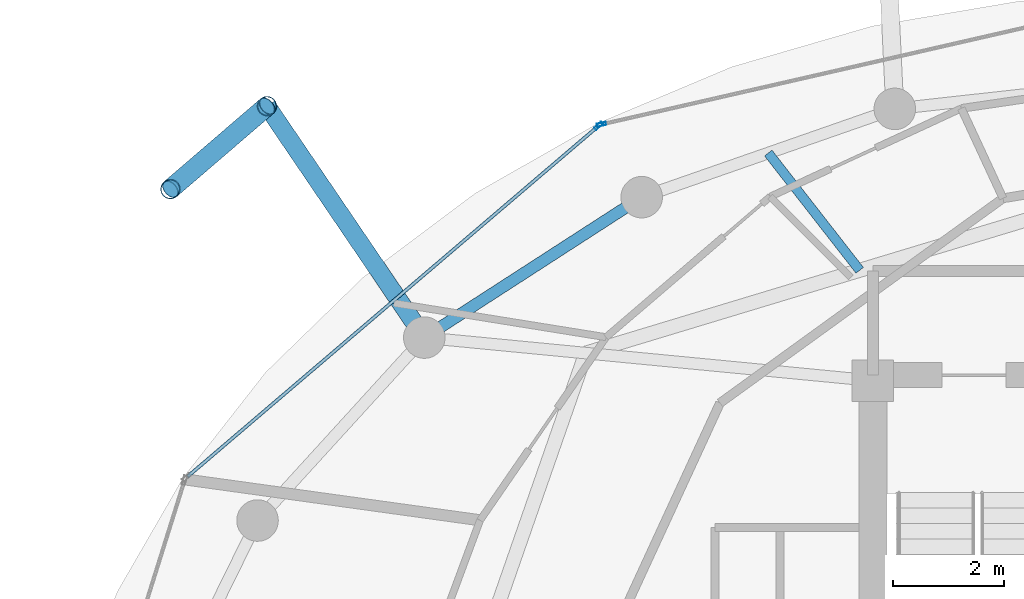
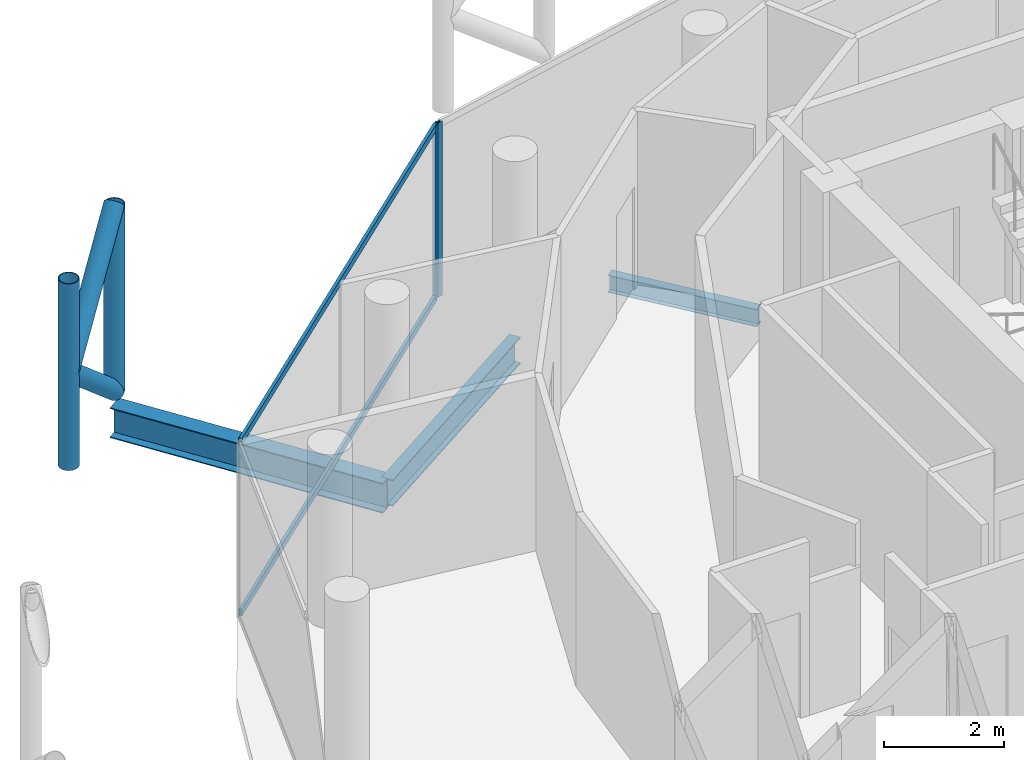
# One storey, part 15 of 24: 8 members, 3 beams, 2 elements without a shape of their own.
"""IFC4 building model written with IfcOpenShell, lengths in metres."""

from ifc_helpers import new_model, si_unit, direction, frame, origin, origin_2d, place, context, subcontext, project, spatial, hollow_rectangle, hollow_circle, i_section, extrude, material, layer, layer_set, material_profile, profile_set, type_object, element, aggregate, save


model = new_model("IFC4")

# Units and contexts
model_context = context("Model", 3, precision=1e-05, world=origin(), true_north=direction((0.0, 1.0)))
body_context = subcontext(model_context, "Body", "Model", "MODEL_VIEW")
ifc_project = project(units=[si_unit("LENGTHUNIT", "METRE"), si_unit("AREAUNIT", "SQUARE_METRE"), si_unit("VOLUMEUNIT", "CUBIC_METRE"), si_unit("PLANEANGLEUNIT", "RADIAN"), si_unit("MASSUNIT", "GRAM", prefix="KILO")], contexts=[model_context])

# Site, building, storey
site_placement = place(None, origin())
site = spatial("IfcSite", under=ifc_project, at=site_placement, CompositionType="ELEMENT")
building_placement = place(site_placement, origin())
building = spatial("IfcBuilding", under=site, at=building_placement, Name="Nuhasar Tower", CompositionType="ELEMENT")
storey_placement = place(building_placement, frame((0.0, 0.0, 274.60009765625)))
storey = spatial("IfcBuildingStorey", under=building, at=storey_placement, Name="L68", CompositionType="ELEMENT", Elevation=274.60009765625)

# Beams
ifc_material_1 = material(Name="Steel S355", Category="steel")
ifc_material_profile_1 = material_profile(ifc_material_1, i_section(OverallWidth=0.1708984375, OverallDepth=0.35205078125, WebThickness=0.0068359375, FlangeThickness=0.009765625, at=origin_2d()), Name="W14X30")
ifc_profile_set_1 = profile_set([ifc_material_profile_1], Name="Steel S355")
beam_type_1 = type_object("IfcBeamType", Name="BM-JST-W14X30", PredefinedType="JOIST", material=ifc_profile_set_1)
beam_1_placement = place(storey_placement, frame((33.4609375, 39.29296875, -0.43603515625), z_axis=(-0.614953767351, 0.788563164256, 0.0), x_axis=(-0.788563164256, -0.614953767351, 0.0)))
element("IfcBeam", 1, at=beam_1_placement, inside=storey, type_object=beam_type_1, Name="L68 Secondary Floor Joist 06", PredefinedType="JOIST", context=body_context, shape_type="SweptSolid", body=[
    extrude(i_section(OverallWidth=0.1708984375, OverallDepth=0.35205078125, WebThickness=0.0068359375, FlangeThickness=0.009765625, at=origin_2d()), origin(), (0.0, 0.0, 1.0), 2.6845703125),
])
ifc_material_profile_2 = material_profile(ifc_material_1, i_section(OverallWidth=0.2099609375, OverallDepth=0.537109375, WebThickness=0.010986328125, FlangeThickness=0.017333984375, at=origin_2d()), Name="W21X68")
ifc_profile_set_2 = profile_set([ifc_material_profile_2], Name="Steel S355")
beam_type_2 = type_object("IfcBeamType", Name="BM-RING-W21X68", PredefinedType="SPANDREL", material=ifc_profile_set_2)
beam_2_placement = place(storey_placement, frame((29.52490234375, 40.613037109375, -0.529052734375), z_axis=(-0.840001671147, -0.54258381147, 0.0), x_axis=(0.54258381147, -0.840001671147, 0.0)))
element("IfcBeam", 2, at=beam_2_placement, inside=storey, type_object=beam_type_2, Name="L68 Perimeter Ring Spandrel 09", PredefinedType="SPANDREL", context=body_context, shape_type="SweptSolid", body=[
    extrude(i_section(OverallWidth=0.2099609375, OverallDepth=0.537109375, WebThickness=0.010986328125, FlangeThickness=0.017333984375, at=origin_2d()), origin(), (0.0, 0.0, 1.0), 4.67236328125),
])
ifc_material_profile_3 = material_profile(ifc_material_1, i_section(OverallWidth=0.323974609375, OverallDepth=0.611083984375, WebThickness=0.0126953125, FlangeThickness=0.01904296875, at=origin_2d()), Name="W24X104")
ifc_profile_set_3 = profile_set([ifc_material_profile_3], Name="Steel S355")
beam_type_3 = type_object("IfcBeamType", Name="BM-TIE-W24X104", PredefinedType="BEAM", material=ifc_profile_set_3)
beam_3_placement = place(storey_placement, frame((25.60009765625, 38.077880859375, -0.566162109375), z_axis=(-0.562070792096, 0.827089127405, 0.0), x_axis=(-0.827089127405, -0.562070792096, 0.0)))
element("IfcBeam", 3, at=beam_3_placement, inside=storey, type_object=beam_type_3, Name="L68 Exoskeleton Node Tie Beam 05", PredefinedType="BEAM", context=body_context, shape_type="SweptSolid", body=[
    extrude(i_section(OverallWidth=0.323974609375, OverallDepth=0.611083984375, WebThickness=0.0126953125, FlangeThickness=0.01904296875, at=origin_2d()), origin(), (0.0, 0.0, 1.0), 5.052978515625),
])

# Curtain wall, member
ifc_material_2 = material(Name="Aluminium 6063-T6", Category="aluminium")
ifc_layer = layer(ifc_material_2, 0.18994140625)
ifc_layer_set = layer_set([ifc_layer], Name="Aluminium 6063-T6")
curtain_wall_type = type_object("IfcCurtainWallType", Name="CW-Z4-PEN", PredefinedType="NOTDEFINED", material=ifc_layer_set)
curtain_wall_1_placement = place(storey_placement, origin())
curtain_wall_1 = element("IfcCurtainWall", 4, at=curtain_wall_1_placement, inside=storey, type_object=curtain_wall_type, Name="L68 Unitised Curtain Wall 04", PredefinedType="NOTDEFINED")
ifc_material_profile_4 = material_profile(ifc_material_2, hollow_rectangle(XDim=0.06005859375, YDim=0.1650390625, WallThickness=0.0048828125, at=origin_2d()), Name="CWM-5")
ifc_profile_set_4 = profile_set([ifc_material_profile_4], Name="Aluminium 6063-T6")
member_type_1 = type_object("IfcMemberType", Name="CW-MUL-S5", PredefinedType="MULLION", material=ifc_profile_set_4)
member_1_placement = place(storey_placement, frame((28.79931640625, 41.927734375, 0.0), z_axis=(0.0, 0.0, 1.0), x_axis=(0.222889487645, -0.97484371891, 0.0)))
member_1 = element("IfcMember", 5, at=member_1_placement, type_object=member_type_1, Name="CW-Z4 mullion 2", PredefinedType="MULLION", context=body_context, shape_type="SweptSolid", body=[
    extrude(hollow_rectangle(XDim=0.06005859375, YDim=0.1650390625, WallThickness=0.0048828125, at=origin_2d()), origin(), (0.0, 0.0, 1.0), 3.539794921875),
])
aggregate(curtain_wall_1, [member_1])

# Curtain wall, members
curtain_wall_2_placement = place(storey_placement, origin())
curtain_wall_2 = element("IfcCurtainWall", 6, at=curtain_wall_2_placement, inside=storey, type_object=curtain_wall_type, Name="L68 Unitised Curtain Wall 05", PredefinedType="NOTDEFINED")
member_2_placement = place(storey_placement, frame((28.7470703125, 41.901611328125, 0.0), z_axis=(0.0, 0.0, 1.0), x_axis=(0.649141996205, -0.760667252327, 0.0)))
member_2 = element("IfcMember", 7, at=member_2_placement, type_object=member_type_1, Name="CW-Z4 mullion 1", PredefinedType="MULLION", context=body_context, shape_type="SweptSolid", body=[
    extrude(hollow_rectangle(XDim=0.06005859375, YDim=0.1650390625, WallThickness=0.0048828125, at=origin_2d()), origin(), (0.0, 0.0, 1.0), 3.539794921875),
])
ifc_material_profile_5 = material_profile(ifc_material_2, hollow_rectangle(XDim=0.06005859375, YDim=0.135009765625, WallThickness=0.00439453125, at=origin_2d()), Name="CWT-5")
ifc_profile_set_5 = profile_set([ifc_material_profile_5], Name="Aluminium 6063-T6")
member_type_2 = type_object("IfcMemberType", Name="CW-TRN-S5", PredefinedType="USERDEFINED", material=ifc_profile_set_5)
member_3_placement = place(storey_placement, frame((28.724365234375, 41.882080078125, 0.02978515625), z_axis=(-0.760660035709, -0.649150452573, 0.0), x_axis=(0.649150452573, -0.760660035709, 0.0)))
member_3 = element("IfcMember", 8, at=member_3_placement, type_object=member_type_2, Name="CW-Z4 transom 1.1", ObjectType="TRANSOM", PredefinedType="USERDEFINED", context=body_context, shape_type="SweptSolid", body=[
    extrude(hollow_rectangle(XDim=0.06005859375, YDim=0.135009765625, WallThickness=0.00439453125, at=origin_2d()), origin(), (0.0, 0.0, 1.0), 9.725341796875),
])
member_4_placement = place(storey_placement, frame((28.724365234375, 41.882080078125, 3.510009765625), z_axis=(-0.760660035709, -0.649150452573, 0.0), x_axis=(0.649150452573, -0.760660035709, 0.0)))
member_4 = element("IfcMember", 9, at=member_4_placement, type_object=member_type_2, Name="CW-Z4 transom 1.2", ObjectType="TRANSOM", PredefinedType="USERDEFINED", context=body_context, shape_type="SweptSolid", body=[
    extrude(hollow_rectangle(XDim=0.06005859375, YDim=0.135009765625, WallThickness=0.00439453125, at=origin_2d()), origin(), (0.0, 0.0, 1.0), 9.725341796875),
])
aggregate(curtain_wall_2, [member_2, member_3, member_4])

# Members
ifc_material_3 = material(Name="Steel S460", Category="steel")
ifc_material_profile_6 = material_profile(ifc_material_3, hollow_circle(Radius=0.177734375, WallThickness=0.015869140625, at=origin_2d()), Name="HSS355.6X15.9")
ifc_profile_set_6 = profile_set([ifc_material_profile_6], Name="Steel S460")
member_type_3 = type_object("IfcMemberType", Name="EXO-BRONZE-356", PredefinedType="BRACE", material=ifc_profile_set_6)
for number, where, z_axis, x_axis, name in (
    (10, (22.760009765625, 42.257080078125, 0.0), (0.0, 0.0, 1.0), (1.0, 0.0, 0.0), "L68 Exoskeleton Chord Column EC-05A"),
    (11, (21.01611328125, 40.758056640625, 0.0), (0.0, 0.0, 1.0), (1.0, 0.0, 0.0), "L68 Exoskeleton Chord Column EC-05B"),
):
    element("IfcMember", number, at=place(storey_placement, frame(where, z_axis=z_axis, x_axis=x_axis)), inside=storey, type_object=member_type_3, Name=name, PredefinedType="BRACE", context=body_context, shape_type="SweptSolid", body=[
        extrude(hollow_circle(Radius=0.177734375, WallThickness=0.015869140625, at=origin_2d()), origin(), (0.0, 0.0, 1.0), 3.7998046875),
    ])
for number, where, z_axis, x_axis, name in (
    (12, (22.760009765625, 42.257080078125, 0.0), (-0.584625223306, -0.502533791278, 0.636924749792), (0.65185738425, -0.758341579104, 0.0), "L68 Bronze Diagrid Brace W1-05"),
    (13, (21.01611328125, 40.758056640625, 1.89990234375), (0.584625223306, 0.502533791278, 0.636924749792), (-0.65185738425, 0.758341579104, 0.0), "L68 Bronze Diagrid Brace W2-05"),
):
    element("IfcMember", number, at=place(storey_placement, frame(where, z_axis=z_axis, x_axis=x_axis)), inside=storey, type_object=member_type_3, Name=name, PredefinedType="BRACE", context=body_context, shape_type="SweptSolid", body=[
        extrude(hollow_circle(Radius=0.177734375, WallThickness=0.015869140625, at=origin_2d()), origin(), (0.0, 0.0, 1.0), 2.98291015625),
    ])

save(model, "model.ifc")
